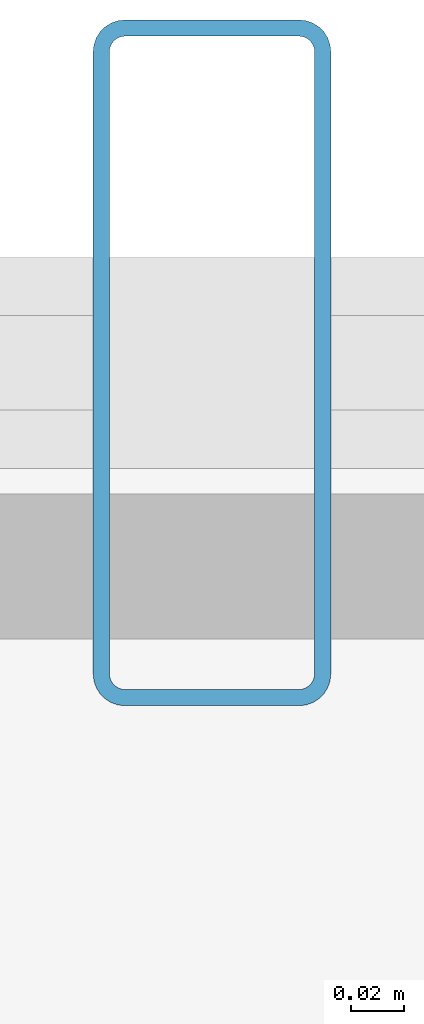
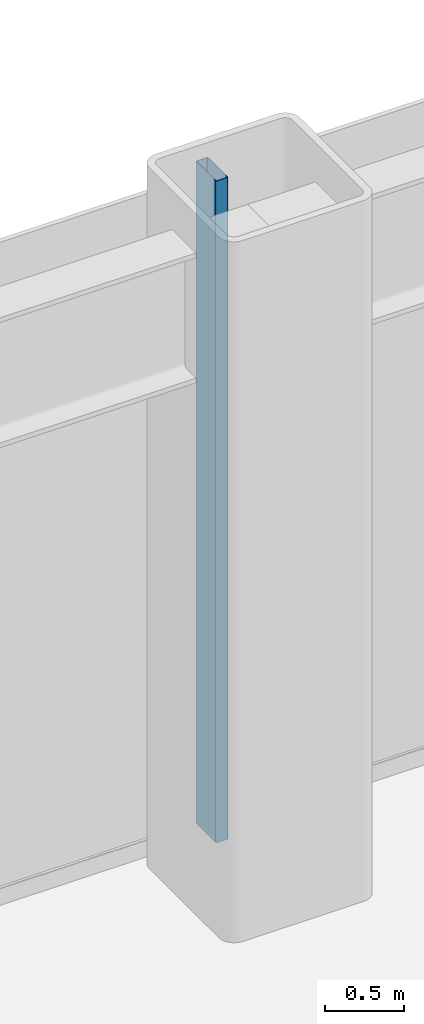
# One storey, part 10 of 24: 1 member, 1 element without a shape of its own.
"""IFC4 building model written with IfcOpenShell, lengths in metres."""

from ifc_helpers import new_model, si_unit, direction, frame, origin, origin_2d, place, context, subcontext, project, spatial, hollow_rectangle, extrude, source, transform, mapped, material, layer, layer_set, material_profile, profile_set, type_object, element, aggregate, save


model = new_model("IFC4")

# Units and contexts
model_context = context("Model", 3, precision=1e-05, world=origin(), true_north=direction((0.0, 1.0)))
body_context = subcontext(model_context, "Body", "Model", "MODEL_VIEW")
ifc_project = project(units=[si_unit("LENGTHUNIT", "METRE"), si_unit("AREAUNIT", "SQUARE_METRE"), si_unit("VOLUMEUNIT", "CUBIC_METRE"), si_unit("PLANEANGLEUNIT", "RADIAN"), si_unit("MASSUNIT", "GRAM", prefix="KILO")], contexts=[model_context])

# Site, building, storey
site_placement = place(None, origin())
site = spatial("IfcSite", under=ifc_project, at=site_placement, CompositionType="ELEMENT")
building_placement = place(site_placement, origin())
building = spatial("IfcBuilding", under=site, at=building_placement, Name="Nefas-Gora Pilgrimage Tower", CompositionType="ELEMENT")
storey_placement = place(building_placement, frame((0.0, 0.0, 16.800048828125)))
storey = spatial("IfcBuildingStorey", under=building, at=storey_placement, Name="L03", CompositionType="ELEMENT", Elevation=16.800048828125)

# Curtain wall, member
ifc_material_1 = material(Name="Dark ceramic-fritted solar-control aluminium-glass curtain wall", Category="aluminium")
ifc_layer = layer(ifc_material_1, 0.219970703125)
ifc_layer_set = layer_set([ifc_layer], Name="Dark ceramic-fritted solar-control aluminium-glass curtain wall")
curtain_wall_type = type_object("IfcCurtainWallType", Name="CW-SYS-1", PredefinedType="NOTDEFINED", material=ifc_layer_set)
curtain_wall_placement = place(storey_placement, origin())
curtain_wall = element("IfcCurtainWall", 1, at=curtain_wall_placement, inside=storey, type_object=curtain_wall_type, Name="L03 Unitised Curtain Wall CW1", PredefinedType="NOTDEFINED")
ifc_material_2 = material(Name="Anodised architectural aluminium", Category="aluminium")
ifc_material_profile = material_profile(ifc_material_2, hollow_rectangle(XDim=0.090087890625, YDim=0.260009765625, WallThickness=0.006103515625, InnerFilletRadius=0.006103515625, OuterFilletRadius=0.011962890625, at=origin_2d()), Name="ALU MULLION 90x260")
ifc_profile_set = profile_set([ifc_material_profile], Name="Anodised architectural aluminium")
member_type = type_object("IfcMemberType", Name="CWM-MUL-1", PredefinedType="MULLION", material=ifc_profile_set)
shared_shape = source(origin(), body_context, "Body", "SweptSolid", [
    extrude(hollow_rectangle(XDim=0.090087890625, YDim=0.260009765625, WallThickness=0.006103515625, InnerFilletRadius=0.006103515625, OuterFilletRadius=0.011962890625, at=origin_2d()), origin(), (0.0, 0.0, 1.0), 5.099853515625),
])
member_placement = place(storey_placement, frame((0.0, 25.199951171875, 0.0), z_axis=(0.0, 0.0, 1.0), x_axis=(-1.0, 0.0, 0.0)))
member = element("IfcMember", 2, at=member_placement, type_object=member_type, Name="CW1 Mullion 2", PredefinedType="MULLION", context=body_context, shape_type="MappedRepresentation", body=[
    mapped(shared_shape, transform((0.0, 0.0, 0.0), x_axis=(1.0, 0.0, 0.0), y_axis=(0.0, 1.0, 0.0), z_axis=(0.0, 0.0, 1.0), scale=1.0)),
])
aggregate(curtain_wall, [member])

save(model, "model.ifc")
